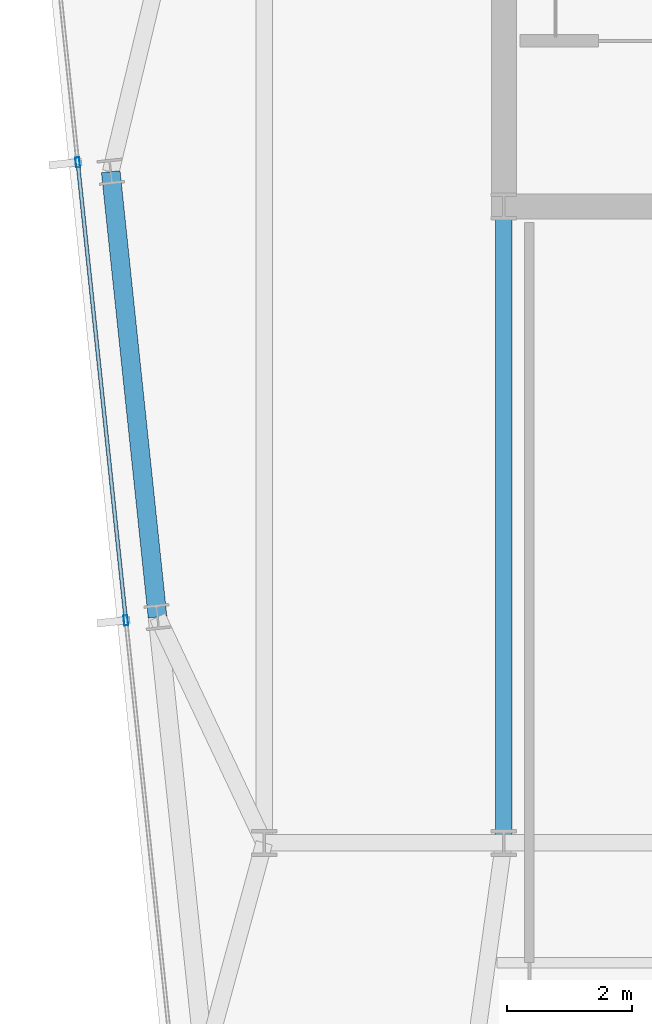
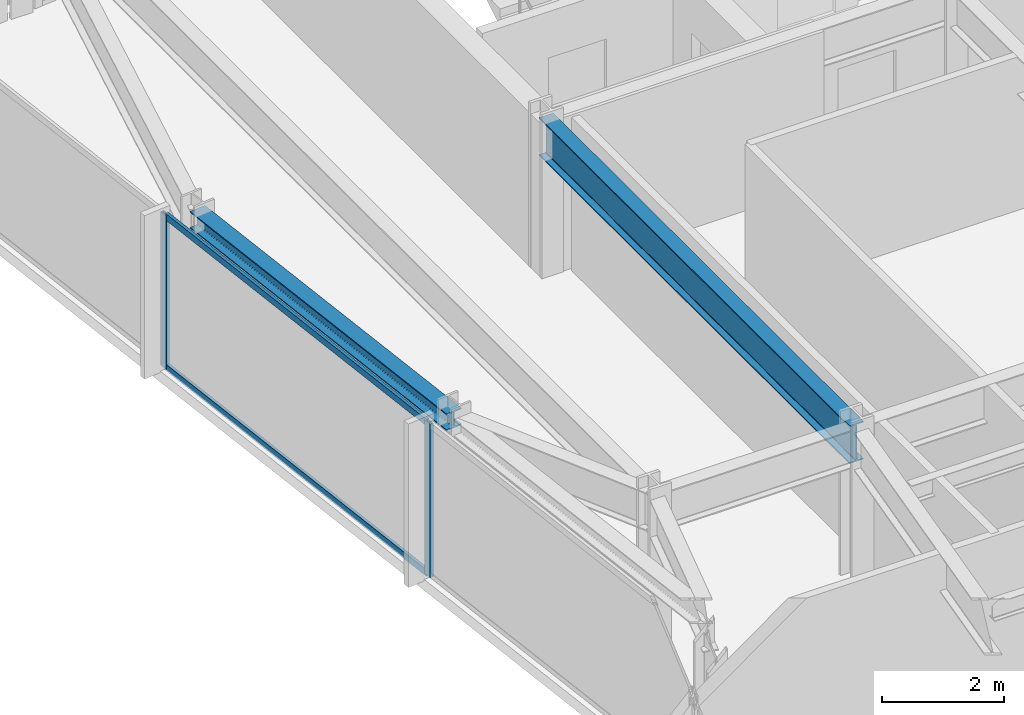
# One storey, part 10 of 33: 4 members, 2 beams, 1 element without a shape of its own.
"""IFC4 building model written with IfcOpenShell, lengths in metres."""

from ifc_helpers import new_model, si_unit, direction, frame, origin, origin_2d, place, context, subcontext, project, spatial, hollow_rectangle, i_section, extrude, material, material_profile, profile_set, type_object, element, aggregate, save


model = new_model("IFC4")

# Units and contexts
model_context = context("Model", 3, precision=1e-05, world=origin(), true_north=direction((0.0, 1.0)))
body_context = subcontext(model_context, "Body", "Model", "MODEL_VIEW")
ifc_project = project(units=[si_unit("LENGTHUNIT", "METRE"), si_unit("AREAUNIT", "SQUARE_METRE"), si_unit("VOLUMEUNIT", "CUBIC_METRE"), si_unit("PLANEANGLEUNIT", "RADIAN"), si_unit("MASSUNIT", "GRAM", prefix="KILO")], contexts=[model_context])

# Site, building, storey
site_placement = place(None, origin())
site = spatial("IfcSite", under=ifc_project, at=site_placement, CompositionType="ELEMENT")
building_placement = place(site_placement, origin())
building = spatial("IfcBuilding", under=site, at=building_placement, Name="Yelkora Congress Tower", CompositionType="ELEMENT")
storey_placement = place(building_placement, frame((0.0, 0.0, 227.60009765625)))
storey = spatial("IfcBuildingStorey", under=building, at=storey_placement, Name="L63", CompositionType="ELEMENT", Elevation=227.60009765625)

# Beams
ifc_material_1 = material(Name="Steel S355J2", Category="steel")
ifc_material_profile_1 = material_profile(ifc_material_1, i_section(OverallWidth=0.26708984375, OverallDepth=0.761962890625, WebThickness=0.014404296875, FlangeThickness=0.021484375, FilletRadius=0.01708984375, at=origin_2d()), Name="IPE 750x173")
ifc_profile_set_1 = profile_set([ifc_material_profile_1], Name="Steel S355J2")
beam_type_1 = type_object("IfcBeamType", Name="BM-GIRD-IPE750", PredefinedType="BEAM", material=ifc_profile_set_1)
beam_1_placement = place(storey_placement, frame((23.0400390625, 25.199951171875, 2.698974609375), z_axis=(0.0, 1.0, 0.0), x_axis=(-1.0, 0.0, 0.0)))
element("IfcBeam", 1, at=beam_1_placement, inside=storey, type_object=beam_type_1, Name="L63 Core Tie Girder MC-D1", PredefinedType="BEAM", context=body_context, shape_type="SweptSolid", body=[
    extrude(i_section(OverallWidth=0.26708984375, OverallDepth=0.761962890625, WebThickness=0.014404296875, FlangeThickness=0.021484375, FilletRadius=0.01708984375, at=origin_2d()), origin(), (0.0, 0.0, 1.0), 10.199951171875),
])
ifc_material_profile_2 = material_profile(ifc_material_1, i_section(OverallWidth=0.300048828125, OverallDepth=0.340087890625, WebThickness=0.011962890625, FlangeThickness=0.021484375, FilletRadius=0.027099609375, at=origin_2d()), Name="HEB 340")
ifc_profile_set_2 = profile_set([ifc_material_profile_2], Name="Steel S355J2")
beam_type_2 = type_object("IfcBeamType", Name="BM-SPAN-HEB340", PredefinedType="SPANDREL", material=ifc_profile_set_2)
beam_2_placement = place(storey_placement, frame((16.7412109375, 35.95458984375, 2.909912109375), z_axis=(0.104528914631, -0.994521847928, 0.0), x_axis=(0.994521847928, 0.104528914631, 0.0)))
element("IfcBeam", 2, at=beam_2_placement, inside=storey, type_object=beam_type_2, Name="L63 Perimeter Beam 17", PredefinedType="SPANDREL", context=body_context, shape_type="SweptSolid", body=[
    extrude(i_section(OverallWidth=0.300048828125, OverallDepth=0.340087890625, WebThickness=0.011962890625, FlangeThickness=0.021484375, FilletRadius=0.027099609375, at=origin_2d()), origin(), (0.0, 0.0, 1.0), 7.175048828125),
])

# Curtain wall, members
ifc_material_2 = material(Name="Anodised aluminium and insulated glass", Category="aluminium")
curtain_wall_type = type_object("IfcCurtainWallType", Name="CW-SYS-B4", PredefinedType="NOTDEFINED", material=ifc_material_2)
curtain_wall_placement = place(storey_placement, origin())
curtain_wall = element("IfcCurtainWall", 3, at=curtain_wall_placement, inside=storey, type_object=curtain_wall_type, Name="L63 Unitised Curtain Wall 5", PredefinedType="NOTDEFINED")
ifc_material_3 = material(Name="Anodised aluminium 6063-T6", Category="aluminium")
ifc_material_profile_3 = material_profile(ifc_material_3, hollow_rectangle(XDim=0.06494140625, YDim=0.159912109375, WallThickness=0.00390625, at=origin_2d()), Name="ALU 65x160x4")
ifc_profile_set_3 = profile_set([ifc_material_profile_3], Name="Anodised aluminium 6063-T6")
member_type_1 = type_object("IfcMemberType", Name="MEM-ML-B4", PredefinedType="MULLION", material=ifc_profile_set_3)
member_1_placement = place(storey_placement, frame((16.98388671875, 28.765625, 0.0), z_axis=(0.0, 0.0, 1.0), x_axis=(-0.994522145958, -0.104526079034, 0.0)))
member_1 = element("IfcMember", 4, at=member_1_placement, type_object=member_type_1, Name="CW-B4 mullion 3", PredefinedType="MULLION", context=body_context, shape_type="SweptSolid", body=[
    extrude(hollow_rectangle(XDim=0.06494140625, YDim=0.159912109375, WallThickness=0.00390625, at=origin_2d()), origin(), (0.0, 0.0, 1.0), 3.079833984375),
])
member_2_placement = place(storey_placement, frame((16.21240234375, 36.105224609375, 0.0), z_axis=(0.0, 0.0, 1.0), x_axis=(-0.994522145958, -0.104526079034, 0.0)))
member_2 = element("IfcMember", 5, at=member_2_placement, type_object=member_type_1, Name="CW-B4 mullion 4", PredefinedType="MULLION", context=body_context, shape_type="SweptSolid", body=[
    extrude(hollow_rectangle(XDim=0.06494140625, YDim=0.159912109375, WallThickness=0.00390625, at=origin_2d()), origin(), (0.0, 0.0, 1.0), 3.079833984375),
])
ifc_material_profile_4 = material_profile(ifc_material_3, hollow_rectangle(XDim=0.06005859375, YDim=0.1298828125, WallThickness=0.00390625, at=origin_2d()), Name="ALU 60x130x4")
ifc_profile_set_4 = profile_set([ifc_material_profile_4], Name="Anodised aluminium 6063-T6")
member_type_2 = type_object("IfcMemberType", Name="MEM-TR-B4", PredefinedType="USERDEFINED", material=ifc_profile_set_4)
member_3_placement = place(storey_placement, frame((16.98046875, 28.7978515625, 0.02978515625), z_axis=(-0.104531896307, 0.994521534535, 0.0), x_axis=(-0.994521534535, -0.104531896307, 0.0)))
member_3 = element("IfcMember", 6, at=member_3_placement, type_object=member_type_2, Name="CW-B4 transom 3.1", ObjectType="TRANSOM", PredefinedType="USERDEFINED", context=body_context, shape_type="SweptSolid", body=[
    extrude(hollow_rectangle(XDim=0.06005859375, YDim=0.1298828125, WallThickness=0.00390625, at=origin_2d()), origin(), (0.0, 0.0, 1.0), 7.31494140625),
])
member_4_placement = place(storey_placement, frame((16.98046875, 28.7978515625, 3.0498046875), z_axis=(-0.104531896307, 0.994521534535, 0.0), x_axis=(-0.994521534535, -0.104531896307, 0.0)))
member_4 = element("IfcMember", 7, at=member_4_placement, type_object=member_type_2, Name="CW-B4 transom 3.2", ObjectType="TRANSOM", PredefinedType="USERDEFINED", context=body_context, shape_type="SweptSolid", body=[
    extrude(hollow_rectangle(XDim=0.06005859375, YDim=0.1298828125, WallThickness=0.00390625, at=origin_2d()), origin(), (0.0, 0.0, 1.0), 7.31494140625),
])
aggregate(curtain_wall, [member_1, member_2, member_3, member_4])

save(model, "model.ifc")
